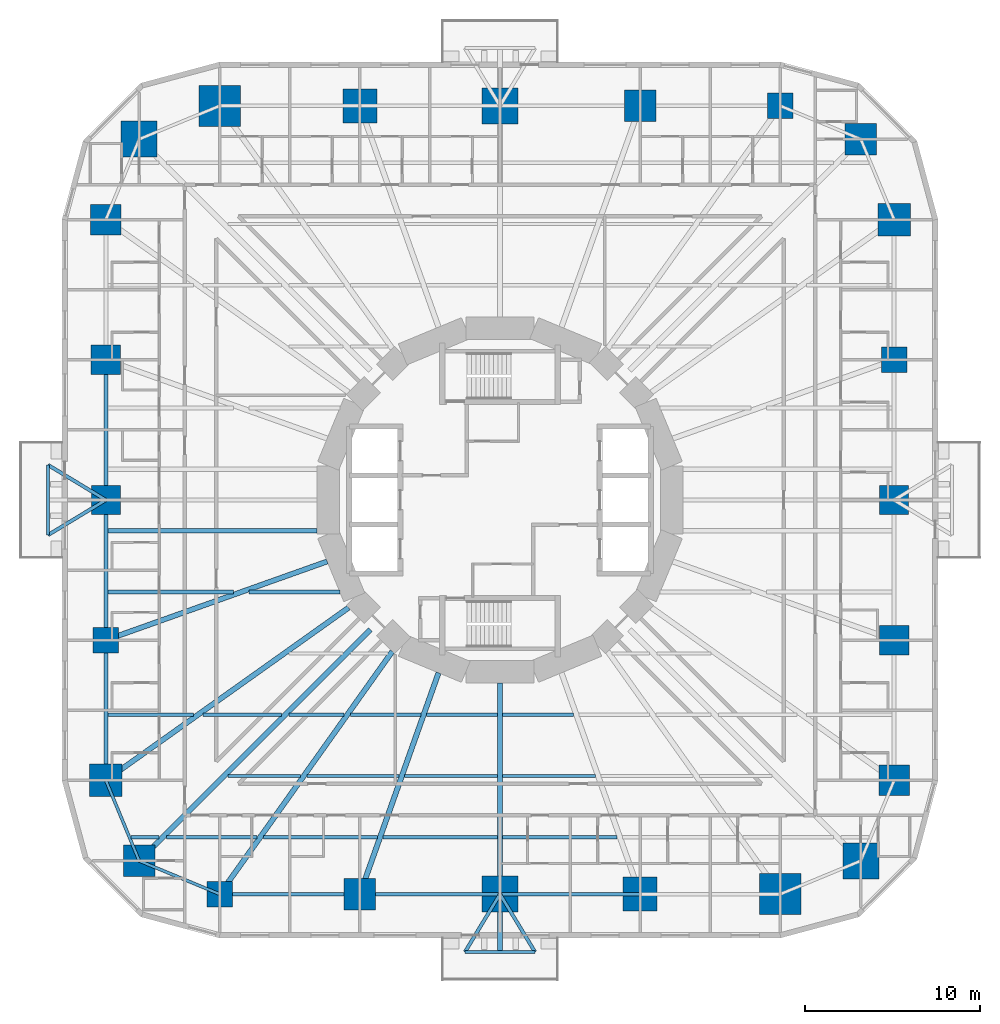
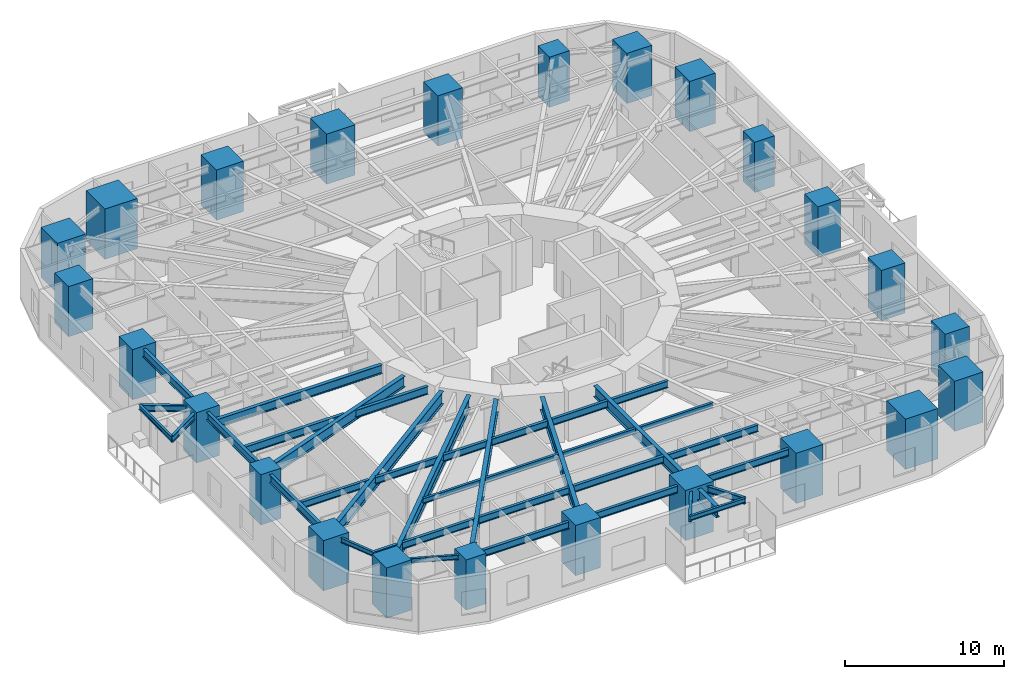
# One storey, part 1 of 14: 38 beams, 24 columns.
"""IFC4 building model written with IfcOpenShell, lengths in metres."""

from ifc_helpers import new_model, si_unit, direction, frame, origin, origin_2d, place, context, subcontext, project, spatial, rectangle, i_section, extrude, material, material_profile, profile_set, type_object, element, save


model = new_model("IFC4")

# Units and contexts
model_context = context("Model", 3, precision=1e-05, world=origin(), true_north=direction((0.0, 1.0)))
body_context = subcontext(model_context, "Body", "Model", "MODEL_VIEW")
ifc_project = project(units=[si_unit("LENGTHUNIT", "METRE"), si_unit("AREAUNIT", "SQUARE_METRE"), si_unit("VOLUMEUNIT", "CUBIC_METRE"), si_unit("PLANEANGLEUNIT", "RADIAN"), si_unit("MASSUNIT", "GRAM", prefix="KILO")], contexts=[model_context])

# Site, building, storey
site_placement = place(None, origin())
site = spatial("IfcSite", under=ifc_project, at=site_placement, CompositionType="ELEMENT")
building_placement = place(site_placement, origin())
building = spatial("IfcBuilding", under=site, at=building_placement, Name="Nakasero Lantern House", CompositionType="ELEMENT")
storey_placement = place(building_placement, frame((0.0, 0.0, 23.699951171875)))
storey = spatial("IfcBuildingStorey", under=building, at=storey_placement, Name="L05", CompositionType="ELEMENT", Elevation=23.699951171875)

# Columns
ifc_material_1 = material(Name="Concrete C50/60", Category="concrete")
ifc_material_profile_1 = material_profile(ifc_material_1, rectangle(XDim=1.800048828125, YDim=1.800048828125, at=origin_2d()), Name="RC 1800x1800")
ifc_profile_set_1 = profile_set([ifc_material_profile_1], Name="Concrete C50/60")
column_type_1 = type_object("IfcColumnType", Name="Mega column RC 1800x1800 C50/60", PredefinedType="COLUMN", material=ifc_profile_set_1)
for number, where, z_axis, x_axis, name in (
    (1, (20.59619140625, 20.59619140625, 0.0), (0.0, 0.0, 1.0), (1.0, 0.0, 0.0), "Column B1-C06 L05"),
    (2, (-20.59619140625, -20.59619140625, 0.0), (0.0, 0.0, 1.0), (1.0, 0.0, 0.0), "Column B1-C18 L05"),
):
    element("IfcColumn", number, at=place(storey_placement, frame(where, z_axis=z_axis, x_axis=x_axis)), inside=storey, type_object=column_type_1, Name=name, PredefinedType="COLUMN", context=body_context, shape_type="SweptSolid", body=[
        extrude(rectangle(XDim=1.800048828125, YDim=1.800048828125, at=origin_2d()), origin(), (0.0, 0.0, 1.0), 3.85009765625),
    ])
ifc_material_2 = material(Name="Concrete C50/60", Category="concrete")
ifc_material_profile_2 = material_profile(ifc_material_2, rectangle(XDim=2.050048828125, YDim=2.050048828125, at=origin_2d()), Name="RC 2050x2050")
ifc_profile_set_2 = profile_set([ifc_material_profile_2], Name="Concrete C50/60")
column_type_2 = type_object("IfcColumnType", Name="Mega column RC 2050x2050 C50/60", PredefinedType="COLUMN", material=ifc_profile_set_2)
for number, where, z_axis, x_axis, name in (
    (3, (-20.59619140625, 20.59619140625, 0.0), (0.0, 0.0, 1.0), (1.0, 0.0, 0.0), "Column B1-C12 L05"),
    (4, (20.59619140625, -20.59619140625, 0.0), (0.0, 0.0, 1.0), (1.0, 0.0, 0.0), "Column B1-C24 L05"),
):
    element("IfcColumn", number, at=place(storey_placement, frame(where, z_axis=z_axis, x_axis=x_axis)), inside=storey, type_object=column_type_2, Name=name, PredefinedType="COLUMN", context=body_context, shape_type="SweptSolid", body=[
        extrude(rectangle(XDim=2.050048828125, YDim=2.050048828125, at=origin_2d()), origin(), (0.0, 0.0, 1.0), 3.85009765625),
    ])
ifc_material_3 = material(Name="Concrete C50/60", Category="concrete")
ifc_material_profile_3 = material_profile(ifc_material_3, rectangle(XDim=1.449951171875, YDim=1.449951171875, at=origin_2d()), Name="RC 1450x1450")
ifc_profile_set_3 = profile_set([ifc_material_profile_3], Name="Concrete C50/60")
column_type_3 = type_object("IfcColumnType", Name="Ring column RC 1450x1450 C50/60", PredefinedType="COLUMN", material=ifc_profile_set_3)
for number, where, z_axis, x_axis, name in (
    (5, (22.5, 8.0, 0.0), (0.0, 0.0, 1.0), (1.0, 0.0, 0.0), "Column B1-C04 L05"),
    (6, (16.0, 22.5, 0.0), (0.0, 0.0, 1.0), (1.0, 0.0, 0.0), "Column B1-C07 L05"),
    (7, (-22.5, -8.0, 0.0), (0.0, 0.0, 1.0), (1.0, 0.0, 0.0), "Column B1-C16 L05"),
    (8, (-16.0, -22.5, 0.0), (0.0, 0.0, 1.0), (1.0, 0.0, 0.0), "Column B1-C19 L05"),
):
    element("IfcColumn", number, at=place(storey_placement, frame(where, z_axis=z_axis, x_axis=x_axis)), inside=storey, type_object=column_type_3, Name=name, PredefinedType="COLUMN", context=body_context, shape_type="SweptSolid", body=[
        extrude(rectangle(XDim=1.449951171875, YDim=1.449951171875, at=origin_2d()), origin(), (0.0, 0.0, 1.0), 3.85009765625),
    ])
ifc_material_4 = material(Name="Concrete C50/60", Category="concrete")
ifc_material_profile_4 = material_profile(ifc_material_4, rectangle(XDim=1.64990234375, YDim=1.64990234375, at=origin_2d()), Name="RC 1650x1650")
ifc_profile_set_4 = profile_set([ifc_material_profile_4], Name="Concrete C50/60")
column_type_4 = type_object("IfcColumnType", Name="Ring column RC 1650x1650 C50/60", PredefinedType="COLUMN", material=ifc_profile_set_4)
for number, where, z_axis, x_axis, name in (
    (9, (22.5, 0.0, 0.0), (0.0, 0.0, 1.0), (1.0, 0.0, 0.0), "Column B1-C03 L05"),
    (10, (-22.5, 0.0, 0.0), (0.0, 0.0, 1.0), (1.0, 0.0, 0.0), "Column B1-C15 L05"),
):
    element("IfcColumn", number, at=place(storey_placement, frame(where, z_axis=z_axis, x_axis=x_axis)), inside=storey, type_object=column_type_4, Name=name, PredefinedType="COLUMN", context=body_context, shape_type="SweptSolid", body=[
        extrude(rectangle(XDim=1.64990234375, YDim=1.64990234375, at=origin_2d()), origin(), (0.0, 0.0, 1.0), 3.85009765625),
    ])
ifc_material_5 = material(Name="Concrete C50/60", Category="concrete")
ifc_material_profile_5 = material_profile(ifc_material_5, rectangle(XDim=1.699951171875, YDim=1.699951171875, at=origin_2d()), Name="RC 1700x1700")
ifc_profile_set_5 = profile_set([ifc_material_profile_5], Name="Concrete C50/60")
column_type_5 = type_object("IfcColumnType", Name="Ring column RC 1700x1700 C50/60", PredefinedType="COLUMN", material=ifc_profile_set_5)
for number, where, z_axis, x_axis, name in (
    (11, (22.5, -8.0, 0.0), (0.0, 0.0, 1.0), (1.0, 0.0, 0.0), "Column B1-C02 L05"),
    (12, (-22.5, 8.0, 0.0), (0.0, 0.0, 1.0), (1.0, 0.0, 0.0), "Column B1-C14 L05"),
):
    element("IfcColumn", number, at=place(storey_placement, frame(where, z_axis=z_axis, x_axis=x_axis)), inside=storey, type_object=column_type_5, Name=name, PredefinedType="COLUMN", context=body_context, shape_type="SweptSolid", body=[
        extrude(rectangle(XDim=1.699951171875, YDim=1.699951171875, at=origin_2d()), origin(), (0.0, 0.0, 1.0), 3.85009765625),
    ])
ifc_material_6 = material(Name="Concrete C50/60", Category="concrete")
ifc_material_profile_6 = material_profile(ifc_material_6, rectangle(XDim=1.75, YDim=1.75, at=origin_2d()), Name="RC 1750x1750")
ifc_profile_set_6 = profile_set([ifc_material_profile_6], Name="Concrete C50/60")
column_type_6 = type_object("IfcColumnType", Name="Ring column RC 1750x1750 C50/60", PredefinedType="COLUMN", material=ifc_profile_set_6)
for number, where, z_axis, x_axis, name in (
    (13, (22.5, -16.0, 0.0), (0.0, 0.0, 1.0), (1.0, 0.0, 0.0), "Column B1-C01 L05"),
    (14, (-22.5, 16.0, 0.0), (0.0, 0.0, 1.0), (1.0, 0.0, 0.0), "Column B1-C13 L05"),
):
    element("IfcColumn", number, at=place(storey_placement, frame(where, z_axis=z_axis, x_axis=x_axis)), inside=storey, type_object=column_type_6, Name=name, PredefinedType="COLUMN", context=body_context, shape_type="SweptSolid", body=[
        extrude(rectangle(XDim=1.75, YDim=1.75, at=origin_2d()), origin(), (0.0, 0.0, 1.0), 3.85009765625),
    ])
ifc_material_7 = material(Name="Concrete C50/60", Category="concrete")
ifc_material_profile_7 = material_profile(ifc_material_7, rectangle(XDim=1.800048828125, YDim=1.800048828125, at=origin_2d()), Name="RC 1800x1800")
ifc_profile_set_7 = profile_set([ifc_material_profile_7], Name="Concrete C50/60")
column_type_7 = type_object("IfcColumnType", Name="Ring column RC 1800x1800 C50/60", PredefinedType="COLUMN", material=ifc_profile_set_7)
for number, where, z_axis, x_axis, name in (
    (15, (8.0, 22.5, 0.0), (0.0, 0.0, 1.0), (1.0, 0.0, 0.0), "Column B1-C08 L05"),
    (16, (-8.0, -22.5, 0.0), (0.0, 0.0, 1.0), (1.0, 0.0, 0.0), "Column B1-C20 L05"),
):
    element("IfcColumn", number, at=place(storey_placement, frame(where, z_axis=z_axis, x_axis=x_axis)), inside=storey, type_object=column_type_7, Name=name, PredefinedType="COLUMN", context=body_context, shape_type="SweptSolid", body=[
        extrude(rectangle(XDim=1.800048828125, YDim=1.800048828125, at=origin_2d()), origin(), (0.0, 0.0, 1.0), 3.85009765625),
    ])
ifc_material_8 = material(Name="Concrete C50/60", Category="concrete")
ifc_material_profile_8 = material_profile(ifc_material_8, rectangle(XDim=1.85009765625, YDim=1.85009765625, at=origin_2d()), Name="RC 1850x1850")
ifc_profile_set_8 = profile_set([ifc_material_profile_8], Name="Concrete C50/60")
column_type_8 = type_object("IfcColumnType", Name="Ring column RC 1850x1850 C50/60", PredefinedType="COLUMN", material=ifc_profile_set_8)
for number, where, z_axis, x_axis, name in (
    (17, (22.5, 16.0, 0.0), (0.0, 0.0, 1.0), (1.0, 0.0, 0.0), "Column B1-C05 L05"),
    (18, (-22.5, -16.0, 0.0), (0.0, 0.0, 1.0), (1.0, 0.0, 0.0), "Column B1-C17 L05"),
):
    element("IfcColumn", number, at=place(storey_placement, frame(where, z_axis=z_axis, x_axis=x_axis)), inside=storey, type_object=column_type_8, Name=name, PredefinedType="COLUMN", context=body_context, shape_type="SweptSolid", body=[
        extrude(rectangle(XDim=1.85009765625, YDim=1.85009765625, at=origin_2d()), origin(), (0.0, 0.0, 1.0), 3.85009765625),
    ])
ifc_material_9 = material(Name="Concrete C50/60", Category="concrete")
ifc_material_profile_9 = material_profile(ifc_material_9, rectangle(XDim=1.949951171875, YDim=1.949951171875, at=origin_2d()), Name="RC 1950x1950")
ifc_profile_set_9 = profile_set([ifc_material_profile_9], Name="Concrete C50/60")
column_type_9 = type_object("IfcColumnType", Name="Ring column RC 1950x1950 C50/60", PredefinedType="COLUMN", material=ifc_profile_set_9)
for number, where, z_axis, x_axis, name in (
    (19, (-8.0, 22.5, 0.0), (0.0, 0.0, 1.0), (1.0, 0.0, 0.0), "Column B1-C10 L05"),
    (20, (8.0, -22.5, 0.0), (0.0, 0.0, 1.0), (1.0, 0.0, 0.0), "Column B1-C22 L05"),
):
    element("IfcColumn", number, at=place(storey_placement, frame(where, z_axis=z_axis, x_axis=x_axis)), inside=storey, type_object=column_type_9, Name=name, PredefinedType="COLUMN", context=body_context, shape_type="SweptSolid", body=[
        extrude(rectangle(XDim=1.949951171875, YDim=1.949951171875, at=origin_2d()), origin(), (0.0, 0.0, 1.0), 3.85009765625),
    ])
ifc_material_10 = material(Name="Concrete C50/60", Category="concrete")
ifc_material_profile_10 = material_profile(ifc_material_10, rectangle(XDim=2.050048828125, YDim=2.050048828125, at=origin_2d()), Name="RC 2050x2050")
ifc_profile_set_10 = profile_set([ifc_material_profile_10], Name="Concrete C50/60")
column_type_10 = type_object("IfcColumnType", Name="Ring column RC 2050x2050 C50/60", PredefinedType="COLUMN", material=ifc_profile_set_10)
for number, where, z_axis, x_axis, name in (
    (21, (0.0, 22.5, 0.0), (0.0, 0.0, 1.0), (1.0, 0.0, 0.0), "Column B1-C09 L05"),
    (22, (0.0, -22.5, 0.0), (0.0, 0.0, 1.0), (1.0, 0.0, 0.0), "Column B1-C21 L05"),
):
    element("IfcColumn", number, at=place(storey_placement, frame(where, z_axis=z_axis, x_axis=x_axis)), inside=storey, type_object=column_type_10, Name=name, PredefinedType="COLUMN", context=body_context, shape_type="SweptSolid", body=[
        extrude(rectangle(XDim=2.050048828125, YDim=2.050048828125, at=origin_2d()), origin(), (0.0, 0.0, 1.0), 3.85009765625),
    ])
ifc_material_11 = material(Name="Concrete C50/60", Category="concrete")
ifc_material_profile_11 = material_profile(ifc_material_11, rectangle(XDim=2.35009765625, YDim=2.35009765625, at=origin_2d()), Name="RC 2350x2350")
ifc_profile_set_11 = profile_set([ifc_material_profile_11], Name="Concrete C50/60")
column_type_11 = type_object("IfcColumnType", Name="Ring column RC 2350x2350 C50/60", PredefinedType="COLUMN", material=ifc_profile_set_11)
for number, where, z_axis, x_axis, name in (
    (23, (-16.0, 22.5, 0.0), (0.0, 0.0, 1.0), (1.0, 0.0, 0.0), "Column B1-C11 L05"),
    (24, (16.0, -22.5, 0.0), (0.0, 0.0, 1.0), (1.0, 0.0, 0.0), "Column B1-C23 L05"),
):
    element("IfcColumn", number, at=place(storey_placement, frame(where, z_axis=z_axis, x_axis=x_axis)), inside=storey, type_object=column_type_11, Name=name, PredefinedType="COLUMN", context=body_context, shape_type="SweptSolid", body=[
        extrude(rectangle(XDim=2.35009765625, YDim=2.35009765625, at=origin_2d()), origin(), (0.0, 0.0, 1.0), 3.85009765625),
    ])

# Beams
ifc_material_12 = material(Name="Steel S355", Category="steel")
ifc_material_profile_12 = material_profile(ifc_material_12, i_section(OverallWidth=0.199462890625, OverallDepth=0.491943359375, WebThickness=0.01806640625, FlangeThickness=0.031982421875, FilletRadius=0.01025390625, at=origin_2d()), Name="UB 457x191x161")
ifc_profile_set_12 = profile_set([ifc_material_profile_12], Name="Steel S355")
beam_type_1 = type_object("IfcBeamType", Name="Balcony splay beam UB 457x191x161", PredefinedType="BEAM", material=ifc_profile_set_12)
for number, where, z_axis, x_axis, name in (
    (25, (-22.5, 0.0, 3.404052734375), (-0.855201230787, -0.518296107317, 0.0), (0.518296107317, -0.855201230787, 0.0), "Balcony splay beam L06 B1-C15A"),
    (26, (-22.5, 0.0, 3.404052734375), (-0.855201230787, 0.518296107317, 0.0), (-0.518296107317, -0.855201230787, 0.0), "Balcony splay beam L06 B1-C15B"),
    (27, (0.0, -22.5, 3.404052734375), (0.518296107317, -0.855201230787, 0.0), (0.855201230787, 0.518296107317, 0.0), "Balcony splay beam L06 B1-C21A"),
    (28, (0.0, -22.5, 3.404052734375), (-0.518296107317, -0.855201230787, 0.0), (0.855201230787, -0.518296107317, 0.0), "Balcony splay beam L06 B1-C21B"),
):
    element("IfcBeam", number, at=place(storey_placement, frame(where, z_axis=z_axis, x_axis=x_axis)), inside=storey, type_object=beam_type_1, Name=name, PredefinedType="BEAM", context=body_context, shape_type="SweptSolid", body=[
        extrude(i_section(OverallWidth=0.199462890625, OverallDepth=0.491943359375, WebThickness=0.01806640625, FlangeThickness=0.031982421875, FilletRadius=0.01025390625, at=origin_2d()), origin(), (0.0, 0.0, 1.0), 3.85888671875),
    ])
ifc_material_13 = material(Name="Steel S355", Category="steel")
ifc_material_profile_13 = material_profile(ifc_material_13, i_section(OverallWidth=0.17138671875, OverallDepth=0.35498046875, WebThickness=0.00732421875, FlangeThickness=0.011474609375, FilletRadius=0.01025390625, at=origin_2d()), Name="UB 356x171x51")
ifc_profile_set_13 = profile_set([ifc_material_profile_13], Name="Steel S355")
beam_type_2 = type_object("IfcBeamType", Name="Balcony tie beam UB 356x171x51", PredefinedType="BEAM", material=ifc_profile_set_13)
for number, where, z_axis, x_axis, name in (
    (29, (-25.800048828125, -2.0, 3.47265625), (0.0, 1.0, 0.0), (-1.0, 0.0, 0.0), "Balcony tie beam L06 B1-C15"),
    (30, (2.0, -25.800048828125, 3.47265625), (-1.0, 0.0, 0.0), (0.0, -1.0, 0.0), "Balcony tie beam L06 B1-C21"),
):
    element("IfcBeam", number, at=place(storey_placement, frame(where, z_axis=z_axis, x_axis=x_axis)), inside=storey, type_object=beam_type_2, Name=name, PredefinedType="BEAM", context=body_context, shape_type="SweptSolid", body=[
        extrude(i_section(OverallWidth=0.17138671875, OverallDepth=0.35498046875, WebThickness=0.00732421875, FlangeThickness=0.011474609375, FilletRadius=0.01025390625, at=origin_2d()), origin(), (0.0, 0.0, 1.0), 4.0),
    ])
ifc_material_14 = material(Name="Steel S355", Category="steel")
ifc_material_profile_14 = material_profile(ifc_material_14, i_section(OverallWidth=0.177978515625, OverallDepth=0.406494140625, WebThickness=0.0078125, FlangeThickness=0.0126953125, FilletRadius=0.01025390625, at=origin_2d()), Name="UB 406x178x60")
ifc_profile_set_14 = profile_set([ifc_material_profile_14], Name="Steel S355")
beam_type_3 = type_object("IfcBeamType", Name="Infill beam UB 406x178x60", PredefinedType="JOIST", material=ifc_profile_set_14)
beam_1_placement = place(storey_placement, frame((-15.537841796875, -15.75, 3.44677734375), z_axis=(1.0, 0.0, 0.0), x_axis=(0.0, 1.0, 0.0)))
element("IfcBeam", 31, at=beam_1_placement, inside=storey, type_object=beam_type_3, Name="Infill beam L06 03.1", PredefinedType="JOIST", context=body_context, shape_type="SweptSolid", body=[
    extrude(i_section(OverallWidth=0.177978515625, OverallDepth=0.406494140625, WebThickness=0.0078125, FlangeThickness=0.0126953125, FilletRadius=0.01025390625, at=origin_2d()), origin(), (0.0, 0.0, 1.0), 4.15380859375),
])
beam_2_placement = place(storey_placement, frame((-11.015869140625, -15.75, 3.44677734375), z_axis=(1.0, 0.0, 0.0), x_axis=(0.0, 1.0, 0.0)))
element("IfcBeam", 32, at=beam_2_placement, inside=storey, type_object=beam_type_3, Name="Infill beam L06 03.2", PredefinedType="JOIST", context=body_context, shape_type="SweptSolid", body=[
    extrude(i_section(OverallWidth=0.177978515625, OverallDepth=0.406494140625, WebThickness=0.0078125, FlangeThickness=0.0126953125, FilletRadius=0.01025390625, at=origin_2d()), origin(), (0.0, 0.0, 1.0), 5.256591796875),
])
for number, where, z_axis, x_axis, name in (
    (33, (-5.44091796875, -15.75, 3.44677734375), (1.0, 0.0, 0.0), (0.0, 1.0, 0.0), "Infill beam L06 03.3"),
    (34, (0.146240234375, -15.75, 3.44677734375), (1.0, 0.0, 0.0), (0.0, 1.0, 0.0), "Infill beam L06 03.4"),
):
    element("IfcBeam", number, at=place(storey_placement, frame(where, z_axis=z_axis, x_axis=x_axis)), inside=storey, type_object=beam_type_3, Name=name, PredefinedType="JOIST", context=body_context, shape_type="SweptSolid", body=[
        extrude(i_section(OverallWidth=0.177978515625, OverallDepth=0.406494140625, WebThickness=0.0078125, FlangeThickness=0.0126953125, FilletRadius=0.01025390625, at=origin_2d()), origin(), (0.0, 0.0, 1.0), 5.294677734375),
    ])
ifc_material_15 = material(Name="Steel S355", Category="steel")
ifc_material_profile_15 = material_profile(ifc_material_15, i_section(OverallWidth=0.208740234375, OverallDepth=0.5283203125, WebThickness=0.009521484375, FlangeThickness=0.01318359375, FilletRadius=0.0126953125, at=origin_2d()), Name="UB 533x210x82")
ifc_profile_set_15 = profile_set([ifc_material_profile_15], Name="Steel S355")
beam_type_4 = type_object("IfcBeamType", Name="Infill beam UB 533x210x82", PredefinedType="JOIST", material=ifc_profile_set_15)
beam_3_placement = place(storey_placement, frame((-21.06103515625, -19.25, 3.385986328125), z_axis=(1.0, 0.0, 0.0), x_axis=(0.0, 1.0, 0.0)))
element("IfcBeam", 35, at=beam_3_placement, inside=storey, type_object=beam_type_4, Name="Infill beam L06 02.1", PredefinedType="JOIST", context=body_context, shape_type="SweptSolid", body=[
    extrude(i_section(OverallWidth=0.208740234375, OverallDepth=0.5283203125, WebThickness=0.009521484375, FlangeThickness=0.01318359375, FilletRadius=0.0126953125, at=origin_2d()), origin(), (0.0, 0.0, 1.0), 1.598876953125),
])
beam_4_placement = place(storey_placement, frame((-19.037841796875, -19.25, 3.385986328125), z_axis=(1.0, 0.0, 0.0), x_axis=(0.0, 1.0, 0.0)))
element("IfcBeam", 36, at=beam_4_placement, inside=storey, type_object=beam_type_4, Name="Infill beam L06 02.2", PredefinedType="JOIST", context=body_context, shape_type="SweptSolid", body=[
    extrude(i_section(OverallWidth=0.208740234375, OverallDepth=0.5283203125, WebThickness=0.009521484375, FlangeThickness=0.01318359375, FilletRadius=0.0126953125, at=origin_2d()), origin(), (0.0, 0.0, 1.0), 5.164794921875),
])
beam_5_placement = place(storey_placement, frame((-13.5048828125, -19.25, 3.385986328125), z_axis=(1.0, 0.0, 0.0), x_axis=(0.0, 1.0, 0.0)))
element("IfcBeam", 37, at=beam_5_placement, inside=storey, type_object=beam_type_4, Name="Infill beam L06 02.3", PredefinedType="JOIST", context=body_context, shape_type="SweptSolid", body=[
    extrude(i_section(OverallWidth=0.208740234375, OverallDepth=0.5283203125, WebThickness=0.009521484375, FlangeThickness=0.01318359375, FilletRadius=0.0126953125, at=origin_2d()), origin(), (0.0, 0.0, 1.0), 6.501220703125),
])
for number, where, z_axis, x_axis, name in (
    (38, (-6.685302734375, -19.25, 3.385986328125), (1.0, 0.0, 0.0), (0.0, 1.0, 0.0), "Infill beam L06 02.4"),
    (39, (0.146240234375, -19.25, 3.385986328125), (1.0, 0.0, 0.0), (0.0, 1.0, 0.0), "Infill beam L06 02.5"),
):
    element("IfcBeam", number, at=place(storey_placement, frame(where, z_axis=z_axis, x_axis=x_axis)), inside=storey, type_object=beam_type_4, Name=name, PredefinedType="JOIST", context=body_context, shape_type="SweptSolid", body=[
        extrude(i_section(OverallWidth=0.208740234375, OverallDepth=0.5283203125, WebThickness=0.009521484375, FlangeThickness=0.01318359375, FilletRadius=0.0126953125, at=origin_2d()), origin(), (0.0, 0.0, 1.0), 6.5390625),
    ])
beam_6_placement = place(storey_placement, frame((-22.385498046875, -12.25, 3.385986328125), z_axis=(1.0, 0.0, 0.0), x_axis=(0.0, 1.0, 0.0)))
element("IfcBeam", 40, at=beam_6_placement, inside=storey, type_object=beam_type_4, Name="Infill beam L06 04.1", PredefinedType="JOIST", context=body_context, shape_type="SweptSolid", body=[
    extrude(i_section(OverallWidth=0.208740234375, OverallDepth=0.5283203125, WebThickness=0.009521484375, FlangeThickness=0.01318359375, FilletRadius=0.0126953125, at=origin_2d()), origin(), (0.0, 0.0, 1.0), 4.900146484375),
])
beam_7_placement = place(storey_placement, frame((-16.9677734375, -12.25, 3.385986328125), z_axis=(1.0, 0.0, 0.0), x_axis=(0.0, 1.0, 0.0)))
element("IfcBeam", 41, at=beam_7_placement, inside=storey, type_object=beam_type_4, Name="Infill beam L06 04.2", PredefinedType="JOIST", context=body_context, shape_type="SweptSolid", body=[
    extrude(i_section(OverallWidth=0.208740234375, OverallDepth=0.5283203125, WebThickness=0.009521484375, FlangeThickness=0.01318359375, FilletRadius=0.0126953125, at=origin_2d()), origin(), (0.0, 0.0, 1.0), 4.505615234375),
])
beam_8_placement = place(storey_placement, frame((-12.037841796875, -12.25, 3.385986328125), z_axis=(1.0, 0.0, 0.0), x_axis=(0.0, 1.0, 0.0)))
element("IfcBeam", 42, at=beam_8_placement, inside=storey, type_object=beam_type_4, Name="Infill beam L06 04.3", PredefinedType="JOIST", context=body_context, shape_type="SweptSolid", body=[
    extrude(i_section(OverallWidth=0.208740234375, OverallDepth=0.5283203125, WebThickness=0.009521484375, FlangeThickness=0.01318359375, FilletRadius=0.0126953125, at=origin_2d()), origin(), (0.0, 0.0, 1.0), 3.142578125),
])
beam_9_placement = place(storey_placement, frame((-8.527099609375, -12.25, 3.385986328125), z_axis=(1.0, 0.0, 0.0), x_axis=(0.0, 1.0, 0.0)))
element("IfcBeam", 43, at=beam_9_placement, inside=storey, type_object=beam_type_4, Name="Infill beam L06 04.4", PredefinedType="JOIST", context=body_context, shape_type="SweptSolid", body=[
    extrude(i_section(OverallWidth=0.208740234375, OverallDepth=0.5283203125, WebThickness=0.009521484375, FlangeThickness=0.01318359375, FilletRadius=0.0126953125, at=origin_2d()), origin(), (0.0, 0.0, 1.0), 4.012451171875),
])
for number, where, z_axis, x_axis, name in (
    (44, (-4.1962890625, -12.25, 3.385986328125), (1.0, 0.0, 0.0), (0.0, 1.0, 0.0), "Infill beam L06 04.5"),
    (45, (0.146240234375, -12.25, 3.385986328125), (1.0, 0.0, 0.0), (0.0, 1.0, 0.0), "Infill beam L06 04.6"),
):
    element("IfcBeam", number, at=place(storey_placement, frame(where, z_axis=z_axis, x_axis=x_axis)), inside=storey, type_object=beam_type_4, Name=name, PredefinedType="JOIST", context=body_context, shape_type="SweptSolid", body=[
        extrude(i_section(OverallWidth=0.208740234375, OverallDepth=0.5283203125, WebThickness=0.009521484375, FlangeThickness=0.01318359375, FilletRadius=0.0126953125, at=origin_2d()), origin(), (0.0, 0.0, 1.0), 4.050048828125),
    ])
ifc_material_16 = material(Name="Steel S355", Category="steel")
ifc_material_profile_16 = material_profile(ifc_material_16, i_section(OverallWidth=0.2275390625, OverallDepth=0.6025390625, WebThickness=0.010498046875, FlangeThickness=0.014892578125, FilletRadius=0.0126953125, at=origin_2d()), Name="UB 610x229x101")
ifc_profile_set_16 = profile_set([ifc_material_profile_16], Name="Steel S355")
beam_type_5 = type_object("IfcBeamType", Name="Infill beam UB 610x229x101", PredefinedType="JOIST", material=ifc_profile_set_16)
beam_10_placement = place(storey_placement, frame((-22.385498046875, -5.25, 3.3486328125), z_axis=(1.0, 0.0, 0.0), x_axis=(0.0, 1.0, 0.0)))
element("IfcBeam", 46, at=beam_10_placement, inside=storey, type_object=beam_type_5, Name="Infill beam L06 06.1", PredefinedType="JOIST", context=body_context, shape_type="SweptSolid", body=[
    extrude(i_section(OverallWidth=0.2275390625, OverallDepth=0.6025390625, WebThickness=0.010498046875, FlangeThickness=0.014892578125, FilletRadius=0.0126953125, at=origin_2d()), origin(), (0.0, 0.0, 1.0), 7.183349609375),
])
beam_11_placement = place(storey_placement, frame((-14.3291015625, -5.25, 3.3486328125), z_axis=(1.0, 0.0, 0.0), x_axis=(0.0, 1.0, 0.0)))
element("IfcBeam", 47, at=beam_11_placement, inside=storey, type_object=beam_type_5, Name="Infill beam L06 06.2", PredefinedType="JOIST", context=body_context, shape_type="SweptSolid", body=[
    extrude(i_section(OverallWidth=0.2275390625, OverallDepth=0.6025390625, WebThickness=0.010498046875, FlangeThickness=0.014892578125, FilletRadius=0.0126953125, at=origin_2d()), origin(), (0.0, 0.0, 1.0), 5.184326171875),
])
ifc_material_17 = material(Name="Steel S355", Category="steel")
ifc_material_profile_17 = material_profile(ifc_material_17, i_section(OverallWidth=0.253662109375, OverallDepth=0.68359375, WebThickness=0.012451171875, FlangeThickness=0.01904296875, FilletRadius=0.01513671875, at=origin_2d()), Name="UB 686x254x140")
ifc_profile_set_17 = profile_set([ifc_material_profile_17], Name="Steel S355")
beam_type_6 = type_object("IfcBeamType", Name="Infill beam UB 686x254x140", PredefinedType="JOIST", material=ifc_profile_set_17)
beam_12_placement = place(storey_placement, frame((-22.385498046875, -1.75, 3.308349609375), z_axis=(1.0, 0.0, 0.0), x_axis=(0.0, 1.0, 0.0)))
element("IfcBeam", 48, at=beam_12_placement, inside=storey, type_object=beam_type_6, Name="Infill beam L06 07.1", PredefinedType="JOIST", context=body_context, shape_type="SweptSolid", body=[
    extrude(i_section(OverallWidth=0.253662109375, OverallDepth=0.68359375, WebThickness=0.012451171875, FlangeThickness=0.01904296875, FilletRadius=0.01513671875, at=origin_2d()), origin(), (0.0, 0.0, 1.0), 11.927734375),
])
ifc_material_18 = material(Name="Steel S355", Category="steel")
ifc_material_profile_18 = material_profile(ifc_material_18, i_section(OverallWidth=0.300048828125, OverallDepth=0.97021484375, WebThickness=0.01611328125, FlangeThickness=0.02099609375, FilletRadius=0.030029296875, at=origin_2d()), Name="UB 1016x305x222")
ifc_profile_set_18 = profile_set([ifc_material_profile_18], Name="Steel S355")
beam_type_7 = type_object("IfcBeamType", Name="Primary beam UB 1016x305x222, span 12 to 15 m", PredefinedType="BEAM", material=ifc_profile_set_18)
beam_13_placement = place(storey_placement, frame((-8.0, -22.5, 3.164794921875), z_axis=(0.335010745293, 0.942214307118, 0.0), x_axis=(-0.942214307118, 0.335010745293, 0.0)))
element("IfcBeam", 49, at=beam_13_placement, inside=storey, type_object=beam_type_7, Name="Primary beam L06 B1-C20", PredefinedType="BEAM", context=body_context, shape_type="SweptSolid", body=[
    extrude(i_section(OverallWidth=0.300048828125, OverallDepth=0.97021484375, WebThickness=0.01611328125, FlangeThickness=0.02099609375, FilletRadius=0.030029296875, at=origin_2d()), origin(), (0.0, 0.0, 1.0), 13.408447265625),
])
ifc_material_19 = material(Name="Steel S355", Category="steel")
ifc_material_profile_19 = material_profile(ifc_material_19, i_section(OverallWidth=0.300048828125, OverallDepth=0.989990234375, WebThickness=0.0166015625, FlangeThickness=0.031005859375, FilletRadius=0.030029296875, at=origin_2d()), Name="UB 1016x305x272")
ifc_profile_set_19 = profile_set([ifc_material_profile_19], Name="Steel S355")
beam_type_8 = type_object("IfcBeamType", Name="Primary beam UB 1016x305x272, span over 15 m", PredefinedType="BEAM", material=ifc_profile_set_19)
beam_14_placement = place(storey_placement, frame((-22.5, -16.0, 3.155029296875), z_axis=(0.814952159915, 0.579528236629, 0.0), x_axis=(-0.579528236629, 0.814952159915, 0.0)))
element("IfcBeam", 50, at=beam_14_placement, inside=storey, type_object=beam_type_8, Name="Primary beam L06 B1-C17", PredefinedType="BEAM", context=body_context, shape_type="SweptSolid", body=[
    extrude(i_section(OverallWidth=0.300048828125, OverallDepth=0.989990234375, WebThickness=0.0166015625, FlangeThickness=0.031005859375, FilletRadius=0.030029296875, at=origin_2d()), origin(), (0.0, 0.0, 1.0), 17.003173828125),
])
beam_15_placement = place(storey_placement, frame((-20.59619140625, -20.59619140625, 3.155029296875), z_axis=(0.707106781187, 0.707106781187, 0.0), x_axis=(-0.707106781187, 0.707106781187, 0.0)))
element("IfcBeam", 51, at=beam_15_placement, inside=storey, type_object=beam_type_8, Name="Primary beam L06 B1-C18", PredefinedType="BEAM", context=body_context, shape_type="SweptSolid", body=[
    extrude(i_section(OverallWidth=0.300048828125, OverallDepth=0.989990234375, WebThickness=0.0166015625, FlangeThickness=0.031005859375, FilletRadius=0.030029296875, at=origin_2d()), origin(), (0.0, 0.0, 1.0), 18.669677734375),
])
ifc_material_20 = material(Name="Steel S355", Category="steel")
ifc_material_profile_20 = material_profile(ifc_material_20, i_section(OverallWidth=0.300048828125, OverallDepth=1.0, WebThickness=0.01904296875, FlangeThickness=0.035888671875, FilletRadius=0.030029296875, at=origin_2d()), Name="UB 1016x305x314")
ifc_profile_set_20 = profile_set([ifc_material_profile_20], Name="Steel S355")
beam_type_9 = type_object("IfcBeamType", Name="Primary beam UB 1016x305x314, span over 15 m", PredefinedType="BEAM", material=ifc_profile_set_20)
beam_16_placement = place(storey_placement, frame((-16.0, -22.5, 3.150146484375), z_axis=(0.579528236629, 0.814952159915, 0.0), x_axis=(-0.814952159915, 0.579528236629, 0.0)))
element("IfcBeam", 52, at=beam_16_placement, inside=storey, type_object=beam_type_9, Name="Primary beam L06 B1-C19", PredefinedType="BEAM", context=body_context, shape_type="SweptSolid", body=[
    extrude(i_section(OverallWidth=0.300048828125, OverallDepth=1.0, WebThickness=0.01904296875, FlangeThickness=0.035888671875, FilletRadius=0.030029296875, at=origin_2d()), origin(), (0.0, 0.0, 1.0), 17.003173828125),
])
ifc_material_21 = material(Name="Steel S355", Category="steel")
ifc_material_profile_21 = material_profile(ifc_material_21, i_section(OverallWidth=0.29248046875, OverallDepth=0.8408203125, WebThickness=0.0146484375, FlangeThickness=0.02685546875, FilletRadius=0.017822265625, at=origin_2d()), Name="UB 838x292x194")
ifc_profile_set_21 = profile_set([ifc_material_profile_21], Name="Steel S355")
beam_type_10 = type_object("IfcBeamType", Name="Primary beam UB 838x292x194, span 12 to 15 m", PredefinedType="BEAM", material=ifc_profile_set_21)
beam_17_placement = place(storey_placement, frame((-22.5, -8.0, 3.229736328125), z_axis=(0.942214307118, 0.335010745293, 0.0), x_axis=(-0.335010745293, 0.942214307118, 0.0)))
element("IfcBeam", 53, at=beam_17_placement, inside=storey, type_object=beam_type_10, Name="Primary beam L06 B1-C16", PredefinedType="BEAM", context=body_context, shape_type="SweptSolid", body=[
    extrude(i_section(OverallWidth=0.29248046875, OverallDepth=0.8408203125, WebThickness=0.0146484375, FlangeThickness=0.02685546875, FilletRadius=0.017822265625, at=origin_2d()), origin(), (0.0, 0.0, 1.0), 13.408447265625),
])
beam_18_placement = place(storey_placement, frame((0.0, -25.800048828125, 3.229736328125), z_axis=(0.0, 1.0, 0.0), x_axis=(-1.0, 0.0, 0.0)))
element("IfcBeam", 54, at=beam_18_placement, inside=storey, type_object=beam_type_10, Name="Primary beam L06 B1-C21", PredefinedType="BEAM", context=body_context, shape_type="SweptSolid", body=[
    extrude(i_section(OverallWidth=0.29248046875, OverallDepth=0.8408203125, WebThickness=0.0146484375, FlangeThickness=0.02685546875, FilletRadius=0.017822265625, at=origin_2d()), origin(), (0.0, 0.0, 1.0), 15.34228515625),
])
ifc_material_22 = material(Name="Steel S355", Category="steel")
ifc_material_profile_22 = material_profile(ifc_material_22, i_section(OverallWidth=0.17138671875, OverallDepth=0.35498046875, WebThickness=0.00732421875, FlangeThickness=0.011474609375, FilletRadius=0.01025390625, at=origin_2d()), Name="UB 356x171x51")
ifc_profile_set_22 = profile_set([ifc_material_profile_22], Name="Steel S355")
beam_type_11 = type_object("IfcBeamType", Name="Ring beam UB 356x171x51", PredefinedType="BEAM", material=ifc_profile_set_22)
for number, where, z_axis, x_axis, name in (
    (55, (-22.5, -16.0, 3.47265625), (0.382684080569, -0.923879264016, 0.0), (0.923879264016, 0.382684080569, 0.0), "Ring beam L06 B1-C17"),
    (56, (-20.59619140625, -20.59619140625, 3.47265625), (0.923879264016, -0.382684080569, 0.0), (0.382684080569, 0.923879264016, 0.0), "Ring beam L06 B1-C18"),
):
    element("IfcBeam", number, at=place(storey_placement, frame(where, z_axis=z_axis, x_axis=x_axis)), inside=storey, type_object=beam_type_11, Name=name, PredefinedType="BEAM", context=body_context, shape_type="SweptSolid", body=[
        extrude(i_section(OverallWidth=0.17138671875, OverallDepth=0.35498046875, WebThickness=0.00732421875, FlangeThickness=0.011474609375, FilletRadius=0.01025390625, at=origin_2d()), origin(), (0.0, 0.0, 1.0), 4.974853515625),
    ])
ifc_material_23 = material(Name="Steel S355", Category="steel")
ifc_material_profile_23 = material_profile(ifc_material_23, i_section(OverallWidth=0.2099609375, OverallDepth=0.53662109375, WebThickness=0.0107421875, FlangeThickness=0.017333984375, FilletRadius=0.0126953125, at=origin_2d()), Name="UB 533x210x101")
ifc_profile_set_23 = profile_set([ifc_material_profile_23], Name="Steel S355")
beam_type_12 = type_object("IfcBeamType", Name="Ring beam UB 533x210x101", PredefinedType="BEAM", material=ifc_profile_set_23)
for number, where, z_axis, x_axis, name in (
    (57, (-16.0, -22.5, 3.381591796875), (1.0, 0.0, 0.0), (0.0, 1.0, 0.0), "Ring beam L06 B1-C19"),
    (58, (-8.0, -22.5, 3.381591796875), (1.0, 0.0, 0.0), (0.0, 1.0, 0.0), "Ring beam L06 B1-C20"),
    (59, (0.0, -22.5, 3.381591796875), (1.0, 0.0, 0.0), (0.0, 1.0, 0.0), "Ring beam L06 B1-C21"),
):
    element("IfcBeam", number, at=place(storey_placement, frame(where, z_axis=z_axis, x_axis=x_axis)), inside=storey, type_object=beam_type_12, Name=name, PredefinedType="BEAM", context=body_context, shape_type="SweptSolid", body=[
        extrude(i_section(OverallWidth=0.2099609375, OverallDepth=0.53662109375, WebThickness=0.0107421875, FlangeThickness=0.017333984375, FilletRadius=0.0126953125, at=origin_2d()), origin(), (0.0, 0.0, 1.0), 8.0),
    ])
ifc_material_24 = material(Name="Steel S355", Category="steel")
ifc_material_profile_24 = material_profile(ifc_material_24, i_section(OverallWidth=0.22900390625, OverallDepth=0.6123046875, WebThickness=0.011962890625, FlangeThickness=0.01953125, FilletRadius=0.0126953125, at=origin_2d()), Name="UB 610x229x125")
ifc_profile_set_24 = profile_set([ifc_material_profile_24], Name="Steel S355")
beam_type_13 = type_object("IfcBeamType", Name="Ring beam UB 610x229x125", PredefinedType="BEAM", material=ifc_profile_set_24)
for number, where, z_axis, x_axis, name in (
    (60, (-22.5, 8.0, 3.343994140625), (0.0, -1.0, 0.0), (1.0, 0.0, 0.0), "Ring beam L06 B1-C14"),
    (61, (-22.5, 0.0, 3.343994140625), (0.0, -1.0, 0.0), (1.0, 0.0, 0.0), "Ring beam L06 B1-C15"),
    (62, (-22.5, -8.0, 3.343994140625), (0.0, -1.0, 0.0), (1.0, 0.0, 0.0), "Ring beam L06 B1-C16"),
):
    element("IfcBeam", number, at=place(storey_placement, frame(where, z_axis=z_axis, x_axis=x_axis)), inside=storey, type_object=beam_type_13, Name=name, PredefinedType="BEAM", context=body_context, shape_type="SweptSolid", body=[
        extrude(i_section(OverallWidth=0.22900390625, OverallDepth=0.6123046875, WebThickness=0.011962890625, FlangeThickness=0.01953125, FilletRadius=0.0126953125, at=origin_2d()), origin(), (0.0, 0.0, 1.0), 8.0),
    ])

save(model, "model.ifc")
